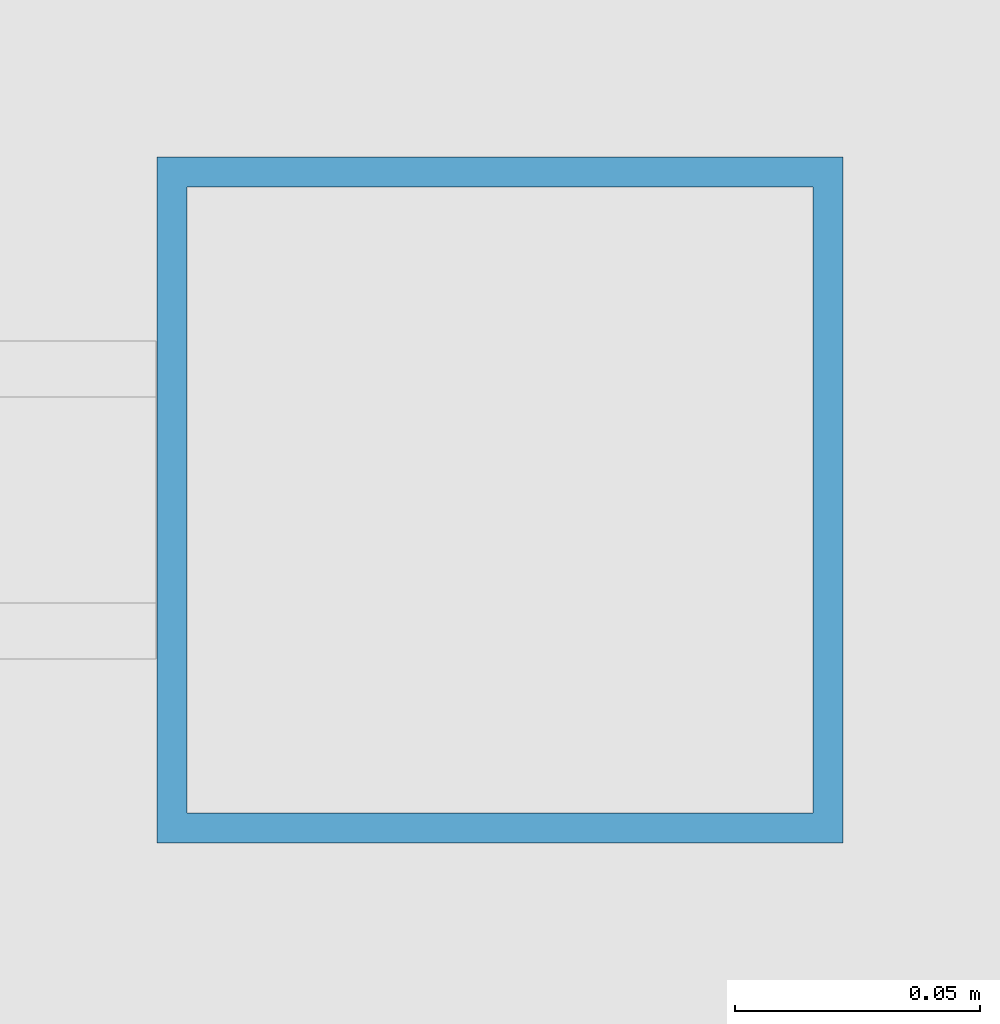
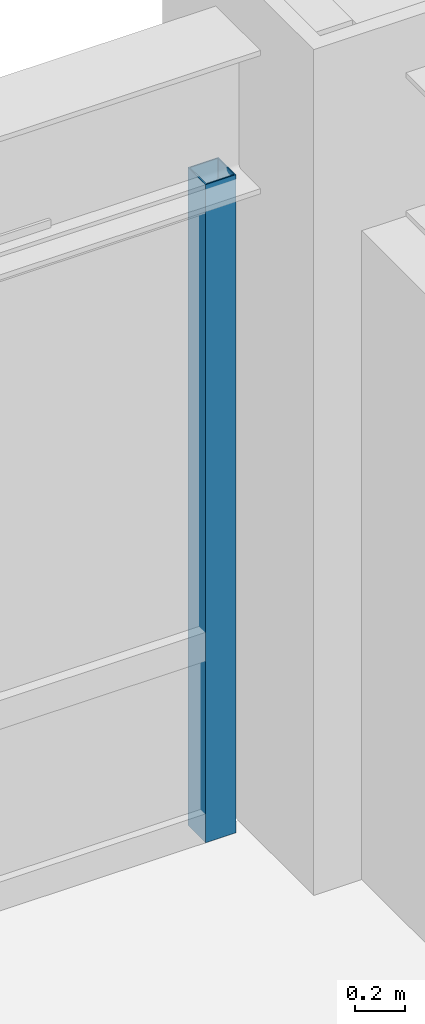
# One storey, part 21 of 32: 1 member, 1 element without a shape of its own.
"""IFC4 building model written with IfcOpenShell, lengths in metres."""

import ifcopenshell
import ifcopenshell.guid

model = None  # the IFC model being written
_history = None  # IfcOwnerHistory: only IFC2X3 demands one
_inside = {}  # id of a spatial element -> (the spatial element, [elements in it])
_under = {}  # id of a project, library or spatial element -> (it, [spatial elements below it])
_declared = {}  # id of a project -> (the project, [libraries it declares])
_typed = {}  # id of a type object -> (the type object, [elements of that type])
_made_of = {}  # id of a material, layer set ... -> (it, [elements and type objects made of it])


def new_model(schema):
    """Start an empty IFC model of exactly this schema.

    Asked for "IFC4X3", IfcOpenShell would pick the latest addendum, in which some entities
    have other attributes; the version numbers below select the first issue.
    IFC2X3 requires an IfcOwnerHistory on every rooted entity: one is made here for all.
    """
    global model, _history
    if schema == "IFC4X3":
        model = ifcopenshell.file(schema_version=(4, 3, 0, 0))
    else:
        model = ifcopenshell.file(schema=schema)
    _inside.clear()
    _under.clear()
    _declared.clear()
    _typed.clear()
    _made_of.clear()
    _history = None
    if model.schema == "IFC2X3":
        org = make("IfcOrganization", Name="unknown")
        user = make(
            "IfcPersonAndOrganization",
            ThePerson=make("IfcPerson", FamilyName="unknown"),
            TheOrganization=org,
        )
        app = make(
            "IfcApplication",
            ApplicationDeveloper=org,
            Version="unknown",
            ApplicationFullName="unknown",
            ApplicationIdentifier="unknown",
        )
        _history = make(
            "IfcOwnerHistory",
            OwningUser=user,
            OwningApplication=app,
            ChangeAction="ADDED",
            CreationDate=0,
        )
    return model


def make(cls, **values):
    """One entity of the class cls with the attributes given. An attribute that is None is left unset."""
    return model.create_entity(
        cls, **{name: value for name, value in values.items() if value is not None}
    )


def rooted(cls, **values):
    """An entity with a GlobalId (a new one), such as an element, a storey or a relation."""
    return make(cls, GlobalId=ifcopenshell.guid.new(), OwnerHistory=_history, **values)


def si_unit(unit_type, name, prefix=None):
    """IfcSIUnit, for example si_unit("LENGTHUNIT", "METRE", prefix="MILLI")."""
    return make("IfcSIUnit", UnitType=unit_type, Prefix=prefix, Name=name)


def assignment(units):
    """IfcUnitAssignment: the units of a project."""
    return None if units is None else make("IfcUnitAssignment", Units=units)


def point(xyz):
    """IfcCartesianPoint."""
    return None if xyz is None else make("IfcCartesianPoint", Coordinates=xyz)


def direction(xyz):
    """IfcDirection."""
    return None if xyz is None else make("IfcDirection", DirectionRatios=xyz)


def frame(location, z_axis=None, x_axis=None):
    """IfcAxis2Placement3D, a coordinate frame: its origin and axes. An axis left out is left unset."""
    return make(
        "IfcAxis2Placement3D",
        Location=point(location),
        Axis=direction(z_axis),
        RefDirection=direction(x_axis),
    )


def frame_2d(location, x_axis=None):
    """IfcAxis2Placement2D, a coordinate frame in the plane: its origin and x axis."""
    return make(
        "IfcAxis2Placement2D", Location=point(location), RefDirection=direction(x_axis)
    )


def origin():
    """The frame at (0, 0, 0) with its axes left unset."""
    return frame((0.0, 0.0, 0.0))


def origin_2d():
    """The frame at (0, 0) in the plane with its x axis left unset."""
    return frame_2d((0.0, 0.0))


def place(relative_to, where):
    """IfcLocalPlacement: puts the frame where relative to a parent placement (None: the world)."""
    return make(
        "IfcLocalPlacement", PlacementRelTo=relative_to, RelativePlacement=where
    )


def context(
    kind, dimensions, precision=None, world=None, true_north=None, identifier=None
):
    """IfcGeometricRepresentationContext, for example the 3D "Model" context."""
    return make(
        "IfcGeometricRepresentationContext",
        ContextIdentifier=identifier,
        ContextType=kind,
        CoordinateSpaceDimension=dimensions,
        Precision=precision,
        WorldCoordinateSystem=world,
        TrueNorth=true_north,
    )


def subcontext(parent, identifier, kind, view, scale=None):
    """IfcGeometricRepresentationSubContext, for example "Body" below "Model"."""
    return make(
        "IfcGeometricRepresentationSubContext",
        ContextIdentifier=identifier,
        ContextType=kind,
        ParentContext=parent,
        TargetScale=scale,
        TargetView=view,
    )


def project(units=None, contexts=None):
    """IfcProject with its units and contexts."""
    return rooted(
        "IfcProject",
        Name="project",
        RepresentationContexts=contexts,
        UnitsInContext=assignment(units),
    )


def spatial(cls, under=None, at=None, **own):
    """A site, building, storey or space (cls), placed at a placement, below another one or the project."""
    s = rooted(cls, ObjectPlacement=at, **own)
    if under is not None:
        _under.setdefault(under.id(), (under, []))[1].append(s)
    return s


def profile(cls, at=None, kind="AREA", **sizes):
    """A parametric profile (cls). Its sizes go by their IFC names, for example OverallWidth=200.0."""
    return make(cls, ProfileType=kind, Position=at, **sizes)


def hollow_rectangle(**sizes):
    """IfcRectangleHollowProfileDef."""
    return profile("IfcRectangleHollowProfileDef", **sizes)


def extrude(swept, where, along, depth):
    """IfcExtrudedAreaSolid: the profile swept, set in the frame where, extruded along a direction by depth."""
    return make(
        "IfcExtrudedAreaSolid",
        SweptArea=swept,
        Position=where,
        ExtrudedDirection=direction(along),
        Depth=depth,
    )


def shape(context_of_items, identifier, shape_type, items):
    """IfcShapeRepresentation: the items that make up one representation, for example the "Body"."""
    return make(
        "IfcShapeRepresentation",
        ContextOfItems=context_of_items,
        RepresentationIdentifier=identifier,
        RepresentationType=shape_type,
        Items=items,
    )


def source(mapping_origin, context_of_items, identifier, shape_type, items):
    """IfcRepresentationMap: a shape defined once, which mapped items show again and again."""
    return make(
        "IfcRepresentationMap",
        MappingOrigin=mapping_origin,
        MappedRepresentation=shape(context_of_items, identifier, shape_type, items),
    )


def transform(
    local_origin,
    x_axis=None,
    y_axis=None,
    z_axis=None,
    scale=None,
    scale2=None,
    scale3=None,
    uniform=True,
):
    """IfcCartesianTransformationOperator3D, or its non-uniform kind. x_axis, y_axis, z_axis: its Axis1, 2, 3."""
    if uniform:
        return make(
            "IfcCartesianTransformationOperator3D",
            Axis1=direction(x_axis),
            Axis2=direction(y_axis),
            LocalOrigin=point(local_origin),
            Scale=scale,
            Axis3=direction(z_axis),
        )
    return make(
        "IfcCartesianTransformationOperator3DnonUniform",
        Axis1=direction(x_axis),
        Axis2=direction(y_axis),
        LocalOrigin=point(local_origin),
        Scale=scale,
        Axis3=direction(z_axis),
        Scale2=scale2,
        Scale3=scale3,
    )


def mapped(mapping_source, mapping_target):
    """IfcMappedItem: shows the shape of a source again, moved by a transform."""
    return make(
        "IfcMappedItem", MappingSource=mapping_source, MappingTarget=mapping_target
    )


def material(Name=None, Category=None):
    """IfcMaterial."""
    return make("IfcMaterial", Name=Name, Category=Category)


def material_profile(
    of_material, cross_section, Name=None, Category=None, Priority=None
):
    """IfcMaterialProfile: a cross section and its material."""
    return make(
        "IfcMaterialProfile",
        Name=Name,
        Material=of_material,
        Profile=cross_section,
        Priority=Priority,
        Category=Category,
    )


def profile_set(profiles, Name=None, composite=None):
    """IfcMaterialProfileSet."""
    return make(
        "IfcMaterialProfileSet",
        Name=Name,
        MaterialProfiles=profiles,
        CompositeProfile=composite,
    )


def made_of(thing, what):
    """Note that an element or type object is made of a material, layer set ...; save() writes the relation."""
    if what is not None:
        _made_of.setdefault(what.id(), (what, []))[1].append(thing)
    return thing


def type_object(cls, material=None, **own):
    """A type object (cls), such as IfcWallType, which elements share."""
    return made_of(rooted(cls, **own), material)


def element(
    cls,
    number,
    at=None,
    inside=None,
    cuts=None,
    type_object=None,
    material=None,
    context=None,
    identifier="Body",
    shape_type=None,
    held_by="IfcProductDefinitionShape",
    body=None,
    shapes=None,
    **own,
):
    """One element of the class cls, such as IfcWall. Its Tag is "e" and its number.

    at: its placement. inside: the storey or other place that contains it. cuts: it is an
    opening in that element (IfcRelVoidsElement). A single representation is given by context,
    identifier, shape_type and body (its items); several are given by shapes. held_by: the class
    of the entity that holds the representations. save() writes the other relations.
    """
    e = rooted(cls, Tag="e%d" % number, ObjectPlacement=at, **own)
    if body is not None:
        shapes = [shape(context, identifier, shape_type, body)]
    if shapes is not None:
        e.Representation = make(held_by, Representations=shapes)
    if inside is not None:
        _inside.setdefault(inside.id(), (inside, []))[1].append(e)
    if cuts is not None:
        rooted(
            "IfcRelVoidsElement", RelatingBuildingElement=cuts, RelatedOpeningElement=e
        )
    if type_object is not None:
        _typed.setdefault(type_object.id(), (type_object, []))[1].append(e)
    return made_of(e, material)


def aggregate(whole, parts):
    """IfcRelAggregates: a whole, such as a stair, and the parts it consists of."""
    return rooted("IfcRelAggregates", RelatingObject=whole, RelatedObjects=parts)


def save(model, path):
    """Write the relations noted so far, then the file.

    IfcRelAggregates (storeys below a building ...), IfcRelContainedInSpatialStructure (elements
    in a storey), IfcRelDefinesByType, IfcRelAssociatesMaterial and IfcRelDeclares: one each for
    every whole, place, type object, material and project.
    """
    for whole, parts in _under.values():
        aggregate(whole, parts)
    for where, things in _inside.values():
        rooted(
            "IfcRelContainedInSpatialStructure",
            RelatedElements=things,
            RelatingStructure=where,
        )
    for kind, things in _typed.values():
        rooted("IfcRelDefinesByType", RelatedObjects=things, RelatingType=kind)
    for what, things in _made_of.values():
        rooted("IfcRelAssociatesMaterial", RelatedObjects=things, RelatingMaterial=what)
    for by, libraries in _declared.values():
        rooted("IfcRelDeclares", RelatingContext=by, RelatedDefinitions=libraries)
    model.write(path)


model = new_model("IFC4")

# Units and contexts
model_context = context("Model", 3, precision=1e-05, world=origin(), true_north=direction((0.0, 1.0)))
body_context = subcontext(model_context, "Body", "Model", "MODEL_VIEW")
ifc_project = project(units=[si_unit("LENGTHUNIT", "METRE"), si_unit("AREAUNIT", "SQUARE_METRE"), si_unit("VOLUMEUNIT", "CUBIC_METRE"), si_unit("PLANEANGLEUNIT", "RADIAN"), si_unit("MASSUNIT", "GRAM", prefix="KILO")], contexts=[model_context])

# Site, building, storey
site_placement = place(None, origin())
site = spatial("IfcSite", under=ifc_project, at=site_placement, CompositionType="ELEMENT")
building_placement = place(site_placement, origin())
building = spatial("IfcBuilding", under=site, at=building_placement, Name="Khorayat Bourse Tower", CompositionType="ELEMENT")
storey_placement = place(building_placement, frame((0.0, 0.0, 128.300048828125)))
storey = spatial("IfcBuildingStorey", under=building, at=storey_placement, Name="L29", CompositionType="ELEMENT", Elevation=128.300048828125)

# Curtain wall, member
ifc_material = material(Name="Aluminium EN AW-6063 T6", Category="aluminium")
curtain_wall_type = type_object("IfcCurtainWallType", Name="CW-SYS-02", PredefinedType="NOTDEFINED", material=ifc_material)
curtain_wall_placement = place(storey_placement, origin())
curtain_wall = element("IfcCurtainWall", 1, at=curtain_wall_placement, inside=storey, type_object=curtain_wall_type, Name="L29 Curtain Wall CW-L29-N1", PredefinedType="NOTDEFINED")
ifc_material_profile = material_profile(ifc_material, hollow_rectangle(XDim=0.139892578125, YDim=0.139892578125, WallThickness=0.006103515625, at=origin_2d()), Name="ALU 140x140x6")
ifc_profile_set = profile_set([ifc_material_profile], Name="Aluminium EN AW-6063 T6")
member_type = type_object("IfcMemberType", Name="CWM-VERT-140", PredefinedType="MULLION", material=ifc_profile_set)
shared_shape = source(origin(), body_context, "Body", "SweptSolid", [
    extrude(hollow_rectangle(XDim=0.139892578125, YDim=0.139892578125, WallThickness=0.006103515625, at=origin_2d()), origin(), (0.0, 0.0, 1.0), 3.18994140625),
])
member_placement = place(storey_placement, frame((27.280029296875, 32.0, 0.0), z_axis=(0.0, 0.0, 1.0), x_axis=(0.0, 1.0, 0.0)))
member = element("IfcMember", 2, at=member_placement, type_object=member_type, Name="CW-L29-N1 Vertical Mullion 3", PredefinedType="MULLION", context=body_context, shape_type="MappedRepresentation", body=[
    mapped(shared_shape, transform((0.0, 0.0, 0.0), scale=1.0)),
])
aggregate(curtain_wall, [member])

save(model, "model.ifc")
